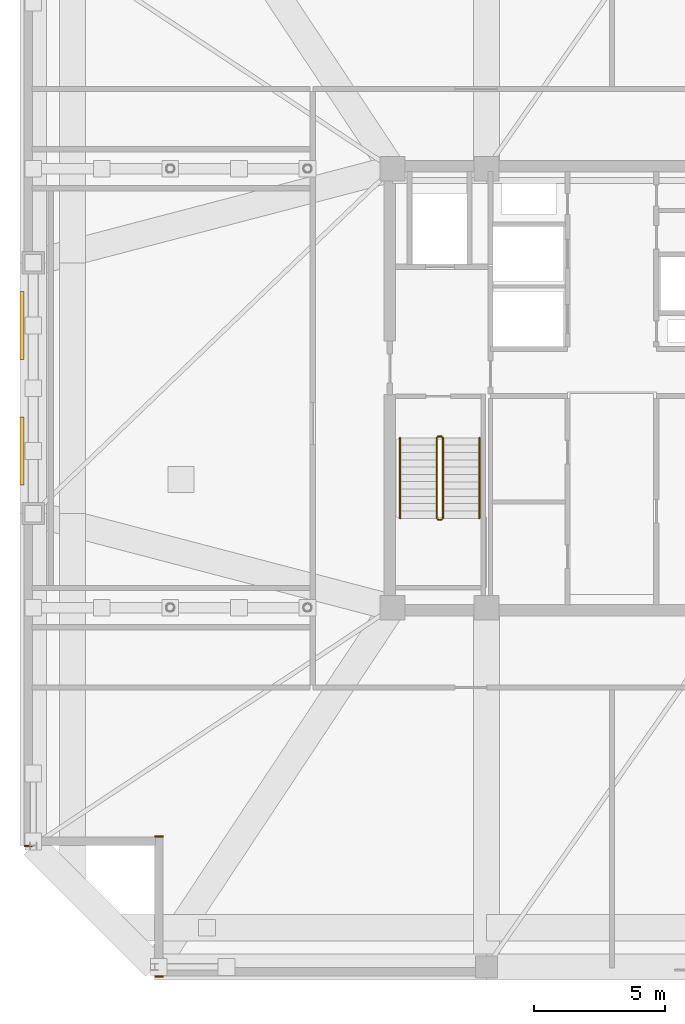
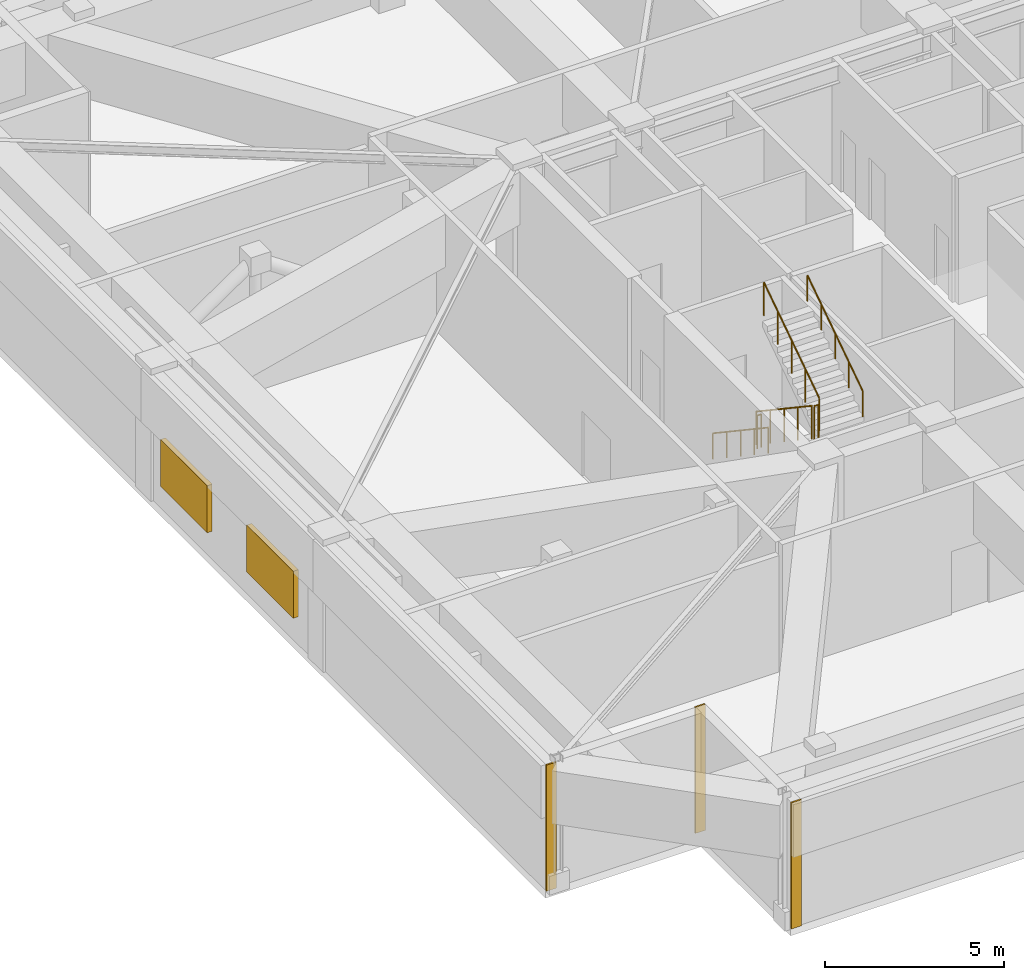
# One storey, part 13 of 17: 6 railings, 3 coverings, 2 shading devices.
"""IFC4 building model written with IfcOpenShell, lengths in metres."""

from ifc_helpers import new_model, si_unit, direction, frame, frame_2d, origin, origin_2d, place, context, subcontext, project, spatial, rectangle, circle, extrude, material, layer, layer_set, type_object, element, save


model = new_model("IFC4")

# Units and contexts
model_context = context("Model", 3, precision=1e-05, world=origin(), true_north=direction((0.0, 1.0)))
body_context = subcontext(model_context, "Body", "Model", "MODEL_VIEW")
ifc_project = project(units=[si_unit("LENGTHUNIT", "METRE"), si_unit("AREAUNIT", "SQUARE_METRE"), si_unit("VOLUMEUNIT", "CUBIC_METRE"), si_unit("PLANEANGLEUNIT", "RADIAN"), si_unit("MASSUNIT", "GRAM", prefix="KILO")], contexts=[model_context])

# Site, building, storey
site_placement = place(None, origin())
site = spatial("IfcSite", under=ifc_project, at=site_placement, CompositionType="ELEMENT")
building_placement = place(site_placement, origin())
building = spatial("IfcBuilding", under=site, at=building_placement, Name="Cairnveth Concourse Tower", CompositionType="ELEMENT")
storey_placement = place(building_placement, frame((0.0, 0.0, 276.0)))
storey = spatial("IfcBuildingStorey", under=building, at=storey_placement, Name="L76", CompositionType="ELEMENT", Elevation=276.0)

# Coverings
ifc_material_1 = material(Name="Dressed Melbourne Bluestone Cladding", Category="masonry")
ifc_layer = layer(ifc_material_1, 0.050048828125)
ifc_layer_set = layer_set([ifc_layer], Name="Dressed Melbourne Bluestone Cladding")
covering_type = type_object("IfcCoveringType", Name="DRESSED BLUESTONE PLINTH CLADDING 50", PredefinedType="CLADDING", material=ifc_layer_set)
for number, where, z_axis, x_axis, name in (
    (1, (34.820068359375, 16.47998046875, 0.0), (0.0, 0.0, 1.0), (-1.0, 0.0, 0.0), "Melbourne Bluestone Corner Quoin L76-1151"),
    (2, (34.820068359375, 21.840087890625, 0.0), (0.0, 0.0, 1.0), (-1.0, 0.0, 0.0), "Melbourne Bluestone Corner Quoin L76-1152"),
    (3, (29.820068359375, 21.47998046875, 0.0), (0.0, 0.0, 1.0), (-1.0, 0.0, 0.0), "Melbourne Bluestone Corner Quoin L76-1153"),
):
    element("IfcCovering", number, at=place(storey_placement, frame(where, z_axis=z_axis, x_axis=x_axis)), inside=storey, type_object=covering_type, Name=name, PredefinedType="CLADDING", context=body_context, shape_type="SweptSolid", body=[
        extrude(rectangle(XDim=0.320068359375, YDim=0.050048828125, at=frame_2d((0.16015625, 0.0))), origin(), (0.0, 0.0, 1.0), 4.2900390625),
    ])

# Shading devices
ifc_material_2 = material(Name="Architectural Bronze Anodised Aluminium 6063-T6", Category="aluminium")
shading_device_type = type_object("IfcShadingDeviceType", Name="PLANT ACOUSTIC WEATHER LOUVRE", PredefinedType="JALOUSIE", material=ifc_material_2)
for number, where, z_axis, x_axis, name in (
    (4, (29.424072265625, 36.60009765625, 0.949951171875), (0.0, 0.0, 1.0), (1.0, 0.0, 0.0), "Plant Acoustic Weather Louvre L76-2-1"),
    (5, (29.424072265625, 41.39990234375, 0.949951171875), (0.0, 0.0, 1.0), (1.0, 0.0, 0.0), "Plant Acoustic Weather Louvre L76-2-2"),
):
    element("IfcShadingDevice", number, at=place(storey_placement, frame(where, z_axis=z_axis, x_axis=x_axis)), inside=storey, type_object=shading_device_type, Name=name, PredefinedType="JALOUSIE", context=body_context, shape_type="SweptSolid", body=[
        extrude(rectangle(XDim=0.159912109375, YDim=2.60009765625, at=origin_2d()), origin(), (0.0, 0.0, 1.0), 1.60009765625),
    ])

# Railings
ifc_material_3 = material(Name="Steel Grade 350", Category="steel")
railing_type_1 = type_object("IfcRailingType", Name="STAIR GUARDRAIL 1150", PredefinedType="GUARDRAIL", material=ifc_material_3)
railing_1_placement = place(storey_placement, frame((45.2900390625, 37.10009765625, 0.1875)))
element("IfcRailing", 6, at=railing_1_placement, inside=storey, type_object=railing_type_1, Name="L76 ST-1 stair guard 1", PredefinedType="GUARDRAIL", context=body_context, shape_type="SweptSolid", body=[
    extrude(circle(Radius=0.02392578125, at=origin_2d()), frame((0.0, 0.0, 1.1259765625), z_axis=(0.0, -0.830913701846, 0.55640131208), x_axis=(1.0, 0.0, 0.0)), (0.0, 0.0, 1.0), 3.706787109375),
    extrude(circle(Radius=0.02099609375, at=origin_2d()), origin(), (0.0, 0.0, 1.0), 1.101806640625),
    extrude(circle(Radius=0.02099609375, at=origin_2d()), frame((0.0, -0.77001953125, 0.515625)), (0.0, 0.0, 1.0), 1.101806640625),
    extrude(circle(Radius=0.02099609375, at=origin_2d()), frame((0.0, -1.5400390625, 1.03125)), (0.0, 0.0, 1.0), 1.101806640625),
    extrude(circle(Radius=0.02099609375, at=origin_2d()), frame((0.0, -2.31005859375, 1.546875)), (0.0, 0.0, 1.0), 1.101806640625),
    extrude(circle(Radius=0.02099609375, at=origin_2d()), frame((0.0, -3.080078125, 2.0625)), (0.0, 0.0, 1.0), 1.101806640625),
])
railing_2_placement = place(storey_placement, frame((45.340087890625, 33.969970703125, 2.25)))
element("IfcRailing", 7, at=railing_2_placement, inside=storey, type_object=railing_type_1, Name="L76 ST-1 stair guard 2", PredefinedType="GUARDRAIL", context=body_context, shape_type="SweptSolid", body=[
    extrude(circle(Radius=0.02392578125, at=origin_2d()), frame((0.0, 0.0, 1.1259765625), z_axis=(1.0, 0.0, 0.0), x_axis=(0.0, 1.0, 0.0)), (0.0, 0.0, 1.0), 0.139892578125),
    extrude(circle(Radius=0.02099609375, at=origin_2d()), origin(), (0.0, 0.0, 1.0), 1.101806640625),
    extrude(circle(Radius=0.02099609375, at=origin_2d()), frame((0.139892578125, 0.0, 0.0)), (0.0, 0.0, 1.0), 1.101806640625),
])
railing_3_placement = place(storey_placement, frame((45.530029296875, 34.02001953125, 2.4375)))
element("IfcRailing", 8, at=railing_3_placement, inside=storey, type_object=railing_type_1, Name="L76 ST-1 stair guard 3", PredefinedType="GUARDRAIL", context=body_context, shape_type="SweptSolid", body=[
    extrude(circle(Radius=0.02392578125, at=origin_2d()), frame((0.0, 0.0, 1.1259765625), z_axis=(0.0, 0.830913701846, 0.55640131208), x_axis=(-1.0, 0.0, 0.0)), (0.0, 0.0, 1.0), 3.706787109375),
    extrude(circle(Radius=0.02099609375, at=origin_2d()), origin(), (0.0, 0.0, 1.0), 1.101806640625),
    extrude(circle(Radius=0.02099609375, at=origin_2d()), frame((0.0, 0.77001953125, 0.515625)), (0.0, 0.0, 1.0), 1.101806640625),
    extrude(circle(Radius=0.02099609375, at=origin_2d()), frame((0.0, 1.5400390625, 1.03125)), (0.0, 0.0, 1.0), 1.101806640625),
    extrude(circle(Radius=0.02099609375, at=origin_2d()), frame((0.0, 2.31005859375, 1.546875)), (0.0, 0.0, 1.0), 1.101806640625),
    extrude(circle(Radius=0.02099609375, at=origin_2d()), frame((0.0, 3.080078125, 2.0625)), (0.0, 0.0, 1.0), 1.101806640625),
])
railing_4_placement = place(storey_placement, frame((45.340087890625, 37.14990234375, 0.0)))
element("IfcRailing", 9, at=railing_4_placement, inside=storey, type_object=railing_type_1, Name="L76 ST-1 stair guard 4", PredefinedType="GUARDRAIL", context=body_context, shape_type="SweptSolid", body=[
    extrude(circle(Radius=0.02392578125, at=origin_2d()), frame((0.0, 0.0, 1.1259765625), z_axis=(1.0, 0.0, 0.0), x_axis=(0.0, 1.0, 0.0)), (0.0, 0.0, 1.0), 0.139892578125),
    extrude(circle(Radius=0.02099609375, at=origin_2d()), origin(), (0.0, 0.0, 1.0), 1.101806640625),
    extrude(circle(Radius=0.02099609375, at=origin_2d()), frame((0.139892578125, 0.0, 0.0)), (0.0, 0.0, 1.0), 1.101806640625),
])
railing_type_2 = type_object("IfcRailingType", Name="STAIR WALL HANDRAIL 900", PredefinedType="HANDRAIL", material=ifc_material_3)
railing_5_placement = place(storey_placement, frame((43.889892578125, 37.10009765625, 0.1875)))
element("IfcRailing", 10, at=railing_5_placement, inside=storey, type_object=railing_type_2, Name="L76 ST-1 stair handrail 1", PredefinedType="HANDRAIL", context=body_context, shape_type="SweptSolid", body=[
    extrude(circle(Radius=0.02392578125, at=origin_2d()), frame((0.0, 0.0, 0.8759765625), z_axis=(0.0, -0.830913701846, 0.55640131208), x_axis=(1.0, 0.0, 0.0)), (0.0, 0.0, 1.0), 3.706787109375),
    extrude(circle(Radius=0.02099609375, at=origin_2d()), origin(), (0.0, 0.0, 1.0), 0.851806640625),
    extrude(circle(Radius=0.02099609375, at=origin_2d()), frame((0.0, -0.77001953125, 0.515625)), (0.0, 0.0, 1.0), 0.851806640625),
    extrude(circle(Radius=0.02099609375, at=origin_2d()), frame((0.0, -1.5400390625, 1.03125)), (0.0, 0.0, 1.0), 0.851806640625),
    extrude(circle(Radius=0.02099609375, at=origin_2d()), frame((0.0, -2.31005859375, 1.546875)), (0.0, 0.0, 1.0), 0.851806640625),
    extrude(circle(Radius=0.02099609375, at=origin_2d()), frame((0.0, -3.080078125, 2.0625)), (0.0, 0.0, 1.0), 0.851806640625),
])
railing_6_placement = place(storey_placement, frame((46.929931640625, 34.02001953125, 2.4375)))
element("IfcRailing", 11, at=railing_6_placement, inside=storey, type_object=railing_type_2, Name="L76 ST-1 stair handrail 2", PredefinedType="HANDRAIL", context=body_context, shape_type="SweptSolid", body=[
    extrude(circle(Radius=0.02392578125, at=origin_2d()), frame((0.0, 0.0, 0.8759765625), z_axis=(0.0, 0.830913701846, 0.55640131208), x_axis=(-1.0, 0.0, 0.0)), (0.0, 0.0, 1.0), 3.706787109375),
    extrude(circle(Radius=0.02099609375, at=origin_2d()), origin(), (0.0, 0.0, 1.0), 0.851806640625),
    extrude(circle(Radius=0.02099609375, at=origin_2d()), frame((0.0, 0.77001953125, 0.515625)), (0.0, 0.0, 1.0), 0.851806640625),
    extrude(circle(Radius=0.02099609375, at=origin_2d()), frame((0.0, 1.5400390625, 1.03125)), (0.0, 0.0, 1.0), 0.851806640625),
    extrude(circle(Radius=0.02099609375, at=origin_2d()), frame((0.0, 2.31005859375, 1.546875)), (0.0, 0.0, 1.0), 0.851806640625),
    extrude(circle(Radius=0.02099609375, at=origin_2d()), frame((0.0, 3.080078125, 2.0625)), (0.0, 0.0, 1.0), 0.851806640625),
])

save(model, "model.ifc")
